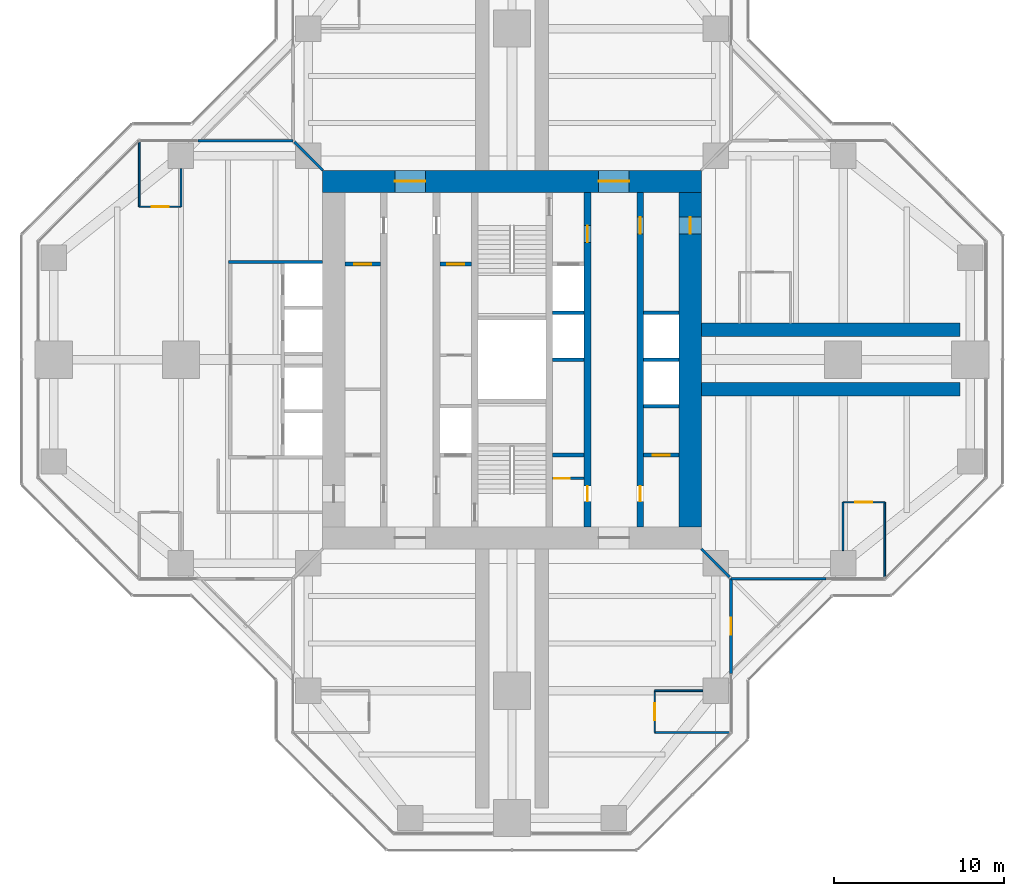
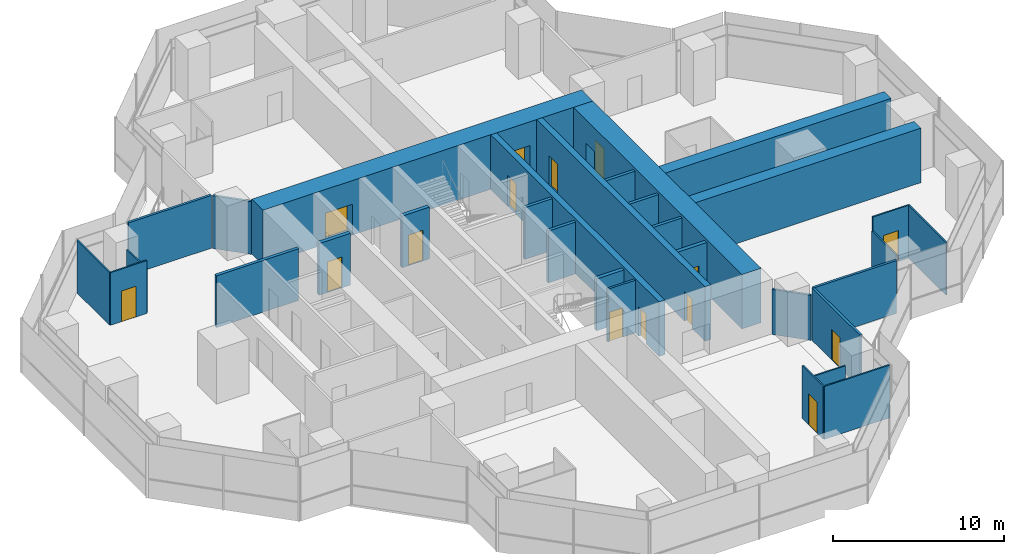
# One storey, part 14 of 17: 31 walls, 15 doors, 15 openings.
"""IFC4 building model written with IfcOpenShell, lengths in metres."""

from ifc_helpers import new_model, si_unit, direction, frame, frame_2d, origin, place, context, subcontext, project, spatial, rectangle, extrude, material, layer, layer_set, type_object, element, fill, save


model = new_model("IFC4")

# Units and contexts
model_context = context("Model", 3, precision=1e-05, world=origin(), true_north=direction((0.0, 1.0)))
body_context = subcontext(model_context, "Body", "Model", "MODEL_VIEW")
ifc_project = project(units=[si_unit("LENGTHUNIT", "METRE"), si_unit("AREAUNIT", "SQUARE_METRE"), si_unit("VOLUMEUNIT", "CUBIC_METRE"), si_unit("PLANEANGLEUNIT", "RADIAN"), si_unit("MASSUNIT", "GRAM", prefix="KILO")], contexts=[model_context])

# Site, building, storey
site_placement = place(None, origin())
site = spatial("IfcSite", under=ifc_project, at=site_placement, CompositionType="ELEMENT")
building_placement = place(site_placement, origin())
building = spatial("IfcBuilding", under=site, at=building_placement, Name="Mizan Broadcast Tower", CompositionType="ELEMENT")
storey_placement = place(building_placement, frame((0.0, 0.0, 263.39990234375)))
storey = spatial("IfcBuildingStorey", under=building, at=storey_placement, Name="L62", CompositionType="ELEMENT", Elevation=263.39990234375)

# Wall, openings, doors
ifc_material_1 = material(Name="Concrete C70/85", Category="concrete")
ifc_layer_1 = layer(ifc_material_1, 0.39990234375)
ifc_layer_set_1 = layer_set([ifc_layer_1], Name="Concrete C70/85")
wall_type_1 = type_object("IfcWallType", Name="CORE INTERNAL WALL 400", PredefinedType="SHEAR", material=ifc_layer_set_1)
wall_1_placement = place(storey_placement, frame((7.550048828125, 9.85009765625, 0.0), z_axis=(0.0, 0.0, 1.0), x_axis=(0.0, -1.0, 0.0)))
wall_1 = element("IfcWall", 1, at=wall_1_placement, inside=storey, type_object=wall_type_1, Name="Core wall CORE/XW1E", PredefinedType="SHEAR", context=body_context, shape_type="SweptSolid", body=[
    extrude(rectangle(XDim=19.7001953125, YDim=0.39990234375, at=frame_2d((9.85009765625, 0.0))), origin(), (0.0, 0.0, 1.0), 3.900146484375),
])
opening_1_placement = place(wall_1_placement, frame((1.449951171875, 0.0, 0.0)))
opening_1 = element("IfcOpeningElement", 2, at=opening_1_placement, cuts=wall_1, Name="Opening D10F", PredefinedType="OPENING", context=body_context, shape_type="SweptSolid", body=[
    extrude(rectangle(XDim=1.0, YDim=2.199951171875, at=frame_2d((0.5, 1.10009765625))), frame((0.0, 0.2099609375, 0.0), z_axis=(0.0, -1.0, 0.0), x_axis=(1.0, 0.0, 0.0)), (0.0, 0.0, 1.0), 0.419921875),
])
opening_2_placement = place(wall_1_placement, frame((17.300048828125, 0.0, 0.0)))
opening_2 = element("IfcOpeningElement", 3, at=opening_2_placement, cuts=wall_1, Name="Opening D09", PredefinedType="OPENING", context=body_context, shape_type="SweptSolid", body=[
    extrude(rectangle(XDim=0.89990234375, YDim=2.10009765625, at=frame_2d((0.449951171875, 1.050048828125))), frame((0.0, 0.2099609375, 0.0), z_axis=(0.0, -1.0, 0.0), x_axis=(1.0, 0.0, 0.0)), (0.0, 0.0, 1.0), 0.419921875),
])
ifc_material_2 = material(Name="Steel door leaf in steel frame", Category="steel")
door_type_1 = type_object("IfcDoorType", Name="FIRE DOOR 1000 FD90", OperationType="SINGLE_SWING_LEFT", PredefinedType="DOOR", material=ifc_material_2)
door_1_placement = place(opening_1_placement, origin())
door_1 = element("IfcDoor", 4, at=door_1_placement, inside=storey, type_object=door_type_1, Name="East core passage door", OperationType="SINGLE_SWING_LEFT", OverallHeight=2.199951171875, OverallWidth=1.0, PredefinedType="DOOR", context=body_context, shape_type="SweptSolid", body=[
    extrude(rectangle(XDim=1.0, YDim=2.199951171875, at=frame_2d((0.5, 1.10009765625))), frame((0.0, 0.02490234375, 0.0), z_axis=(0.0, -1.0, 0.0), x_axis=(1.0, 0.0, 0.0)), (0.0, 0.0, 1.0), 0.050048828125),
])
fill(opening_1, door_1)
ifc_material_3 = material(Name="Timber door leaf in aluminium frame", Category="wood")
door_type_2 = type_object("IfcDoorType", Name="TOILET DOOR 900", OperationType="SINGLE_SWING_LEFT", PredefinedType="DOOR", material=ifc_material_3)
door_2_placement = place(opening_2_placement, origin())
door_2 = element("IfcDoor", 5, at=door_2_placement, inside=storey, type_object=door_type_2, Name="Female WC door", OperationType="SINGLE_SWING_RIGHT", OverallHeight=2.10009765625, OverallWidth=0.89990234375, PredefinedType="DOOR", context=body_context, shape_type="SweptSolid", body=[
    extrude(rectangle(XDim=0.89990234375, YDim=2.10009765625, at=frame_2d((0.449951171875, 1.050048828125))), frame((0.0, 0.02490234375, 0.0), z_axis=(0.0, -1.0, 0.0), x_axis=(1.0, 0.0, 0.0)), (0.0, 0.0, 1.0), 0.050048828125),
])
fill(opening_2, door_2)

wall_2_placement = place(storey_placement, frame((4.449951171875, 9.85009765625, 0.0), z_axis=(0.0, 0.0, 1.0), x_axis=(0.0, -1.0, 0.0)))
wall_2 = element("IfcWall", 6, at=wall_2_placement, inside=storey, type_object=wall_type_1, Name="Core wall CORE/XWHE", PredefinedType="SHEAR", context=body_context, shape_type="SweptSolid", body=[
    extrude(rectangle(XDim=19.7001953125, YDim=0.39990234375, at=frame_2d((9.85009765625, 0.0))), origin(), (0.0, 0.0, 1.0), 3.900146484375),
])
opening_3_placement = place(wall_2_placement, frame((1.949951171875, 0.0, 0.0)))
opening_3 = element("IfcOpeningElement", 7, at=opening_3_placement, cuts=wall_2, Name="Opening D10F", PredefinedType="OPENING", context=body_context, shape_type="SweptSolid", body=[
    extrude(rectangle(XDim=1.0, YDim=2.199951171875, at=frame_2d((0.5, 1.10009765625))), frame((0.0, 0.2099609375, 0.0), z_axis=(0.0, -1.0, 0.0), x_axis=(1.0, 0.0, 0.0)), (0.0, 0.0, 1.0), 0.419921875),
])
opening_4_placement = place(wall_2_placement, frame((17.300048828125, 0.0, 0.0)))
opening_4 = element("IfcOpeningElement", 8, at=opening_4_placement, cuts=wall_2, Name="Opening D09", PredefinedType="OPENING", context=body_context, shape_type="SweptSolid", body=[
    extrude(rectangle(XDim=0.89990234375, YDim=2.10009765625, at=frame_2d((0.449951171875, 1.050048828125))), frame((0.0, 0.2099609375, 0.0), z_axis=(0.0, -1.0, 0.0), x_axis=(1.0, 0.0, 0.0)), (0.0, 0.0, 1.0), 0.419921875),
])
door_3_placement = place(opening_3_placement, origin())
door_3 = element("IfcDoor", 9, at=door_3_placement, inside=storey, type_object=door_type_1, Name="Firefighting lobby B door", OperationType="SINGLE_SWING_LEFT", OverallHeight=2.199951171875, OverallWidth=1.0, PredefinedType="DOOR", context=body_context, shape_type="SweptSolid", body=[
    extrude(rectangle(XDim=1.0, YDim=2.199951171875, at=frame_2d((0.5, 1.10009765625))), frame((0.0, 0.02490234375, 0.0), z_axis=(0.0, -1.0, 0.0), x_axis=(1.0, 0.0, 0.0)), (0.0, 0.0, 1.0), 0.050048828125),
])
fill(opening_3, door_3)
door_4_placement = place(opening_4_placement, origin())
door_4 = element("IfcDoor", 10, at=door_4_placement, inside=storey, type_object=door_type_2, Name="Cleaner's store door", OperationType="SINGLE_SWING_RIGHT", OverallHeight=2.10009765625, OverallWidth=0.89990234375, PredefinedType="DOOR", context=body_context, shape_type="SweptSolid", body=[
    extrude(rectangle(XDim=0.89990234375, YDim=2.10009765625, at=frame_2d((0.449951171875, 1.050048828125))), frame((0.0, 0.02490234375, 0.0), z_axis=(0.0, -1.0, 0.0), x_axis=(1.0, 0.0, 0.0)), (0.0, 0.0, 1.0), 0.050048828125),
])
fill(opening_4, door_4)

# Wall, opening, door
ifc_material_4 = material(Name="Concrete blockwork", Category="masonry")
ifc_layer_2 = layer(ifc_material_4, 0.14990234375)
ifc_layer_set_2 = layer_set([ifc_layer_2], Name="Concrete blockwork")
wall_type_2 = type_object("IfcWallType", Name="CORE PARTITION 150", PredefinedType="SOLIDWALL", material=ifc_layer_set_2)
wall_3_placement = place(storey_placement, frame((2.39990234375, -7.0, 0.0), z_axis=(0.0, 0.0, 1.0), x_axis=(1.0, 0.0, 0.0)))
wall_3 = element("IfcWall", 11, at=wall_3_placement, inside=storey, type_object=wall_type_2, Name="Core partition CORE/XPC", PredefinedType="SOLIDWALL", context=body_context, shape_type="SweptSolid", body=[
    extrude(rectangle(XDim=1.85009765625, YDim=0.14990234375, at=frame_2d((0.925048828125, 0.0))), origin(), (0.0, 0.0, 1.0), 3.77001953125),
])
opening_5_placement = place(wall_3_placement, frame((0.10009765625, 0.0, 0.0)))
opening_5 = element("IfcOpeningElement", 12, at=opening_5_placement, cuts=wall_3, Name="Opening D09F", PredefinedType="OPENING", context=body_context, shape_type="SweptSolid", body=[
    extrude(rectangle(XDim=0.89990234375, YDim=2.10009765625, at=frame_2d((0.449951171875, 1.050048828125))), frame((0.0, 0.0849609375, 0.0), z_axis=(0.0, -1.0, 0.0), x_axis=(1.0, 0.0, 0.0)), (0.0, 0.0, 1.0), 0.169921875),
])
ifc_material_5 = material(Name="Steel door leaf in steel frame", Category="steel")
door_type_3 = type_object("IfcDoorType", Name="CORE ROOM DOOR 900 FD90", OperationType="SINGLE_SWING_LEFT", PredefinedType="DOOR", material=ifc_material_5)
door_5_placement = place(opening_5_placement, origin())
door_5 = element("IfcDoor", 13, at=door_5_placement, inside=storey, type_object=door_type_3, Name="Cleaning materials store door", OperationType="SINGLE_SWING_LEFT", OverallHeight=2.10009765625, OverallWidth=0.89990234375, PredefinedType="DOOR", context=body_context, shape_type="SweptSolid", body=[
    extrude(rectangle(XDim=0.89990234375, YDim=2.10009765625, at=frame_2d((0.449951171875, 1.050048828125))), frame((0.0, 0.02490234375, 0.0), z_axis=(0.0, -1.0, 0.0), x_axis=(1.0, 0.0, 0.0)), (0.0, 0.0, 1.0), 0.050048828125),
])
fill(opening_5, door_5)

# Wall, openings, doors
ifc_material_6 = material(Name="Concrete C70/85", Category="concrete")
ifc_layer_3 = layer(ifc_material_6, 1.300048828125)
ifc_layer_set_3 = layer_set([ifc_layer_3], Name="Concrete C70/85")
wall_type_3 = type_object("IfcWallType", Name="CORE WALL 1300", PredefinedType="SHEAR", material=ifc_layer_set_3)
wall_4_placement = place(storey_placement, frame((-11.14990234375, 10.5, 0.0), z_axis=(0.0, 0.0, 1.0), x_axis=(1.0, 0.0, 0.0)))
wall_4 = element("IfcWall", 14, at=wall_4_placement, inside=storey, type_object=wall_type_3, Name="Core wall N L62", PredefinedType="SHEAR", context=body_context, shape_type="SweptSolid", body=[
    extrude(rectangle(XDim=22.2998046875, YDim=1.300048828125, at=frame_2d((11.14990234375, 0.0))), origin(), (0.0, 0.0, 1.0), 3.900146484375),
])
opening_6_placement = place(wall_4_placement, frame((4.25, 0.0, 0.0)))
opening_6 = element("IfcOpeningElement", 15, at=opening_6_placement, cuts=wall_4, Name="Opening D18F", PredefinedType="OPENING", context=body_context, shape_type="SweptSolid", body=[
    extrude(rectangle(XDim=1.800048828125, YDim=2.199951171875, at=frame_2d((0.89990234375, 1.10009765625))), frame((0.0, 0.659912109375, 0.0), z_axis=(0.0, -1.0, 0.0), x_axis=(1.0, 0.0, 0.0)), (0.0, 0.0, 1.0), 1.320068359375),
])
opening_7_placement = place(wall_4_placement, frame((16.25, 0.0, 0.0)))
opening_7 = element("IfcOpeningElement", 16, at=opening_7_placement, cuts=wall_4, Name="Opening D18F", PredefinedType="OPENING", context=body_context, shape_type="SweptSolid", body=[
    extrude(rectangle(XDim=1.800048828125, YDim=2.199951171875, at=frame_2d((0.89990234375, 1.10009765625))), frame((0.0, 0.659912109375, 0.0), z_axis=(0.0, -1.0, 0.0), x_axis=(1.0, 0.0, 0.0)), (0.0, 0.0, 1.0), 1.320068359375),
])
ifc_material_7 = material(Name="Steel door leaf in steel frame", Category="steel")
door_type_4 = type_object("IfcDoorType", Name="LOBBY DOUBLE DOOR 1800 FD90", OperationType="DOUBLE_DOOR_DOUBLE_SWING", PredefinedType="DOOR", material=ifc_material_7)
door_6_placement = place(opening_6_placement, origin())
door_6 = element("IfcDoor", 17, at=door_6_placement, inside=storey, type_object=door_type_4, Name="West lift lobby north door", OperationType="DOUBLE_DOOR_DOUBLE_SWING", OverallHeight=2.199951171875, OverallWidth=1.800048828125, PredefinedType="DOOR", context=body_context, shape_type="SweptSolid", body=[
    extrude(rectangle(XDim=1.800048828125, YDim=2.199951171875, at=frame_2d((0.89990234375, 1.10009765625))), frame((0.0, 0.02490234375, 0.0), z_axis=(0.0, -1.0, 0.0), x_axis=(1.0, 0.0, 0.0)), (0.0, 0.0, 1.0), 0.050048828125),
])
fill(opening_6, door_6)
door_7_placement = place(opening_7_placement, origin())
door_7 = element("IfcDoor", 18, at=door_7_placement, inside=storey, type_object=door_type_4, Name="East lift lobby north door", OperationType="DOUBLE_DOOR_DOUBLE_SWING", OverallHeight=2.199951171875, OverallWidth=1.800048828125, PredefinedType="DOOR", context=body_context, shape_type="SweptSolid", body=[
    extrude(rectangle(XDim=1.800048828125, YDim=2.199951171875, at=frame_2d((0.89990234375, 1.10009765625))), frame((0.0, 0.02490234375, 0.0), z_axis=(0.0, -1.0, 0.0), x_axis=(1.0, 0.0, 0.0)), (0.0, 0.0, 1.0), 0.050048828125),
])
fill(opening_7, door_7)

# Wall, opening, door
wall_5_placement = place(storey_placement, frame((10.5, -9.85009765625, 0.0), z_axis=(0.0, 0.0, 1.0), x_axis=(0.0, 1.0, 0.0)))
wall_5 = element("IfcWall", 19, at=wall_5_placement, inside=storey, type_object=wall_type_3, Name="Core wall E L62", PredefinedType="SHEAR", context=body_context, shape_type="SweptSolid", body=[
    extrude(rectangle(XDim=19.7001953125, YDim=1.300048828125, at=frame_2d((9.85009765625, 0.0))), origin(), (0.0, 0.0, 1.0), 3.900146484375),
])
opening_8_placement = place(wall_5_placement, frame((17.25, 0.0, 0.0)))
opening_8 = element("IfcOpeningElement", 20, at=opening_8_placement, cuts=wall_5, Name="Opening D10F", PredefinedType="OPENING", context=body_context, shape_type="SweptSolid", body=[
    extrude(rectangle(XDim=1.0, YDim=2.199951171875, at=frame_2d((0.5, 1.10009765625))), frame((0.0, 0.659912109375, 0.0), z_axis=(0.0, -1.0, 0.0), x_axis=(1.0, 0.0, 0.0)), (0.0, 0.0, 1.0), 1.320068359375),
])
door_8_placement = place(opening_8_placement, origin())
door_8 = element("IfcDoor", 21, at=door_8_placement, inside=storey, type_object=door_type_1, Name="East core passage arm door", OperationType="SINGLE_SWING_RIGHT", OverallHeight=2.199951171875, OverallWidth=1.0, PredefinedType="DOOR", context=body_context, shape_type="SweptSolid", body=[
    extrude(rectangle(XDim=1.0, YDim=2.199951171875, at=frame_2d((0.5, 1.10009765625))), frame((0.0, 0.02490234375, 0.0), z_axis=(0.0, -1.0, 0.0), x_axis=(1.0, 0.0, 0.0)), (0.0, 0.0, 1.0), 0.050048828125),
])
fill(opening_8, door_8)

# Walls
ifc_material_8 = material(Name="Aluminium framed glazed screen", Category="aluminium")
ifc_layer_4 = layer(ifc_material_8, 0.159912109375)
ifc_layer_set_4 = layer_set([ifc_layer_4], Name="Aluminium framed glazed screen")
wall_type_4 = type_object("IfcWallType", Name="GLAZED SCREEN WALL 160", PredefinedType="SOLIDWALL", material=ifc_layer_set_4)
for number, where, z_axis, x_axis, name in (
    (22, (12.89990234375, -12.89990234375, 0.0), (0.0, 0.0, 1.0), (1.0, 0.0, 0.0), "Winter garden screen L62 E"),
    (23, (-12.89990234375, 12.89990234375, 0.0), (0.0, 0.0, 1.0), (-1.0, 0.0, 0.0), "Winter garden screen L62 W"),
):
    element("IfcWall", number, at=place(storey_placement, frame(where, z_axis=z_axis, x_axis=x_axis)), inside=storey, type_object=wall_type_4, Name=name, PredefinedType="SOLIDWALL", context=body_context, shape_type="SweptSolid", body=[
        extrude(rectangle(XDim=5.60009765625, YDim=0.159912109375, at=frame_2d((2.800048828125, 0.0))), origin(), (0.0, 0.0, 1.0), 3.77001953125),
    ])

# Wall, opening, door
wall_6_placement = place(storey_placement, frame((12.89990234375, -18.5, 0.0), z_axis=(0.0, 0.0, 1.0), x_axis=(0.0, 1.0, 0.0)))
wall_6 = element("IfcWall", 24, at=wall_6_placement, inside=storey, type_object=wall_type_4, Name="Winter garden screen L62 S", PredefinedType="SOLIDWALL", context=body_context, shape_type="SweptSolid", body=[
    extrude(rectangle(XDim=5.60009765625, YDim=0.159912109375, at=frame_2d((2.800048828125, 0.0))), origin(), (0.0, 0.0, 1.0), 3.77001953125),
])
opening_9_placement = place(wall_6_placement, frame((2.300048828125, 0.0, 0.0)))
opening_9 = element("IfcOpeningElement", 25, at=opening_9_placement, cuts=wall_6, Name="Opening WGD", PredefinedType="OPENING", context=body_context, shape_type="SweptSolid", body=[
    extrude(rectangle(XDim=1.0, YDim=2.199951171875, at=frame_2d((0.5, 1.10009765625))), frame((0.0, 0.08984375, 0.0), z_axis=(0.0, -1.0, 0.0), x_axis=(1.0, 0.0, 0.0)), (0.0, 0.0, 1.0), 0.179931640625),
])
ifc_material_9 = material(Name="Aluminium framed glazed door", Category="aluminium")
door_type_5 = type_object("IfcDoorType", Name="WINTER GARDEN DOOR 1000 GLAZED", OperationType="SINGLE_SWING_LEFT", PredefinedType="DOOR", material=ifc_material_9)
door_9_placement = place(opening_9_placement, origin())
door_9 = element("IfcDoor", 26, at=door_9_placement, inside=storey, type_object=door_type_5, Name="Winter garden door L62 S", OperationType="SINGLE_SWING_RIGHT", OverallHeight=2.199951171875, OverallWidth=1.0, PredefinedType="DOOR", context=body_context, shape_type="SweptSolid", body=[
    extrude(rectangle(XDim=1.0, YDim=2.199951171875, at=frame_2d((0.5, 1.10009765625))), frame((0.0, 0.02490234375, 0.0), z_axis=(0.0, -1.0, 0.0), x_axis=(1.0, 0.0, 0.0)), (0.0, 0.0, 1.0), 0.050048828125),
])
fill(opening_9, door_9)

# Walls
ifc_material_10 = material(Name="Concrete blockwork", Category="masonry")
ifc_layer_5 = layer(ifc_material_10, 0.199951171875)
ifc_layer_set_5 = layer_set([ifc_layer_5], Name="Concrete blockwork")
wall_type_5 = type_object("IfcWallType", Name="LIFT SHAFT WALL 200", PredefinedType="SOLIDWALL", material=ifc_layer_set_5)
wall_7_placement = place(storey_placement, frame((7.75, -2.75, 0.0), z_axis=(0.0, 0.0, 1.0), x_axis=(1.0, 0.0, 0.0)))
element("IfcWall", 27, at=wall_7_placement, inside=storey, type_object=wall_type_5, Name="Lift shaft wall CORE/SE1-1", PredefinedType="SOLIDWALL", context=body_context, shape_type="SweptSolid", body=[
    extrude(rectangle(XDim=2.10009765625, YDim=0.199951171875, at=frame_2d((1.050048828125, 0.0))), origin(), (0.0, 0.0, 1.0), 3.7001953125),
])
wall_8_placement = place(storey_placement, frame((2.39990234375, 0.0, 0.0), z_axis=(0.0, 0.0, 1.0), x_axis=(1.0, 0.0, 0.0)))
element("IfcWall", 28, at=wall_8_placement, inside=storey, type_object=wall_type_5, Name="Lift shaft wall CORE/SE2-2", PredefinedType="SOLIDWALL", context=body_context, shape_type="SweptSolid", body=[
    extrude(rectangle(XDim=1.85009765625, YDim=0.199951171875, at=frame_2d((0.925048828125, 0.0))), origin(), (0.0, 0.0, 1.0), 3.7001953125),
])
wall_9_placement = place(storey_placement, frame((7.75, 0.0, 0.0), z_axis=(0.0, 0.0, 1.0), x_axis=(1.0, 0.0, 0.0)))
element("IfcWall", 29, at=wall_9_placement, inside=storey, type_object=wall_type_5, Name="Lift shaft wall CORE/SE1-2", PredefinedType="SOLIDWALL", context=body_context, shape_type="SweptSolid", body=[
    extrude(rectangle(XDim=2.10009765625, YDim=0.199951171875, at=frame_2d((1.050048828125, 0.0))), origin(), (0.0, 0.0, 1.0), 3.7001953125),
])
wall_10_placement = place(storey_placement, frame((2.39990234375, 2.75, 0.0), z_axis=(0.0, 0.0, 1.0), x_axis=(1.0, 0.0, 0.0)))
element("IfcWall", 30, at=wall_10_placement, inside=storey, type_object=wall_type_5, Name="Lift shaft wall CORE/SE2-3", PredefinedType="SOLIDWALL", context=body_context, shape_type="SweptSolid", body=[
    extrude(rectangle(XDim=1.85009765625, YDim=0.199951171875, at=frame_2d((0.925048828125, 0.0))), origin(), (0.0, 0.0, 1.0), 3.7001953125),
])
wall_11_placement = place(storey_placement, frame((7.75, 2.75, 0.0), z_axis=(0.0, 0.0, 1.0), x_axis=(1.0, 0.0, 0.0)))
element("IfcWall", 31, at=wall_11_placement, inside=storey, type_object=wall_type_5, Name="Lift shaft wall CORE/SE1-3", PredefinedType="SOLIDWALL", context=body_context, shape_type="SweptSolid", body=[
    extrude(rectangle(XDim=2.10009765625, YDim=0.199951171875, at=frame_2d((1.050048828125, 0.0))), origin(), (0.0, 0.0, 1.0), 3.7001953125),
])
wall_12_placement = place(storey_placement, frame((-11.14990234375, 5.75, 0.0), z_axis=(0.0, 0.0, 1.0), x_axis=(-1.0, 0.0, 0.0)))
element("IfcWall", 32, at=wall_12_placement, inside=storey, type_object=wall_type_5, Name="Lift shaft wall LC/S1", PredefinedType="SOLIDWALL", context=body_context, shape_type="SweptSolid", body=[
    extrude(rectangle(XDim=5.550048828125, YDim=0.199951171875, at=frame_2d((2.77490234375, 0.0))), origin(), (0.0, 0.0, 1.0), 3.7001953125),
])

# Wall, opening, door
ifc_material_11 = material(Name="Concrete blockwork", Category="masonry")
ifc_layer_6 = layer(ifc_material_11, 0.25)
ifc_layer_set_6 = layer_set([ifc_layer_6], Name="Concrete blockwork")
wall_type_6 = type_object("IfcWallType", Name="LOBBY ENCLOSURE WALL 250", PredefinedType="SOLIDWALL", material=ifc_layer_set_6)
wall_13_placement = place(storey_placement, frame((-9.85009765625, 5.625, 0.0), z_axis=(0.0, 0.0, 1.0), x_axis=(1.0, 0.0, 0.0)))
wall_13 = element("IfcWall", 33, at=wall_13_placement, inside=storey, type_object=wall_type_6, Name="Lobby enclosure wall CORE/BW1N", PredefinedType="SOLIDWALL", context=body_context, shape_type="SweptSolid", body=[
    extrude(rectangle(XDim=2.10009765625, YDim=0.25, at=frame_2d((1.050048828125, 0.0))), origin(), (0.0, 0.0, 1.0), 3.7001953125),
])
opening_10_placement = place(wall_13_placement, frame((0.550048828125, 0.0, 0.0)))
opening_10 = element("IfcOpeningElement", 34, at=opening_10_placement, cuts=wall_13, Name="Opening D10F", PredefinedType="OPENING", context=body_context, shape_type="SweptSolid", body=[
    extrude(rectangle(XDim=1.0, YDim=2.199951171875, at=frame_2d((0.5, 1.10009765625))), frame((0.0, 0.135009765625, 0.0), z_axis=(0.0, -1.0, 0.0), x_axis=(1.0, 0.0, 0.0)), (0.0, 0.0, 1.0), 0.27001953125),
])
door_10_placement = place(opening_10_placement, origin())
door_10 = element("IfcDoor", 35, at=door_10_placement, inside=storey, type_object=door_type_1, Name="Staff changing room door", OperationType="SINGLE_SWING_RIGHT", OverallHeight=2.199951171875, OverallWidth=1.0, PredefinedType="DOOR", context=body_context, shape_type="SweptSolid", body=[
    extrude(rectangle(XDim=1.0, YDim=2.199951171875, at=frame_2d((0.5, 1.10009765625))), frame((0.0, 0.02490234375, 0.0), z_axis=(0.0, -1.0, 0.0), x_axis=(1.0, 0.0, 0.0)), (0.0, 0.0, 1.0), 0.050048828125),
])
fill(opening_10, door_10)

wall_14_placement = place(storey_placement, frame((-4.25, 5.625, 0.0), z_axis=(0.0, 0.0, 1.0), x_axis=(1.0, 0.0, 0.0)))
wall_14 = element("IfcWall", 36, at=wall_14_placement, inside=storey, type_object=wall_type_6, Name="Lobby enclosure wall CORE/BW2N", PredefinedType="SOLIDWALL", context=body_context, shape_type="SweptSolid", body=[
    extrude(rectangle(XDim=1.85009765625, YDim=0.25, at=frame_2d((0.925048828125, 0.0))), origin(), (0.0, 0.0, 1.0), 3.7001953125),
])
opening_11_placement = place(wall_14_placement, frame((0.425048828125, 0.0, 0.0)))
opening_11 = element("IfcOpeningElement", 37, at=opening_11_placement, cuts=wall_14, Name="Opening D10F", PredefinedType="OPENING", context=body_context, shape_type="SweptSolid", body=[
    extrude(rectangle(XDim=1.0, YDim=2.199951171875, at=frame_2d((0.5, 1.10009765625))), frame((0.0, 0.135009765625, 0.0), z_axis=(0.0, -1.0, 0.0), x_axis=(1.0, 0.0, 0.0)), (0.0, 0.0, 1.0), 0.27001953125),
])
door_11_placement = place(opening_11_placement, origin())
door_11 = element("IfcDoor", 38, at=door_11_placement, inside=storey, type_object=door_type_1, Name="Baby change room door", OperationType="SINGLE_SWING_RIGHT", OverallHeight=2.199951171875, OverallWidth=1.0, PredefinedType="DOOR", context=body_context, shape_type="SweptSolid", body=[
    extrude(rectangle(XDim=1.0, YDim=2.199951171875, at=frame_2d((0.5, 1.10009765625))), frame((0.0, 0.02490234375, 0.0), z_axis=(0.0, -1.0, 0.0), x_axis=(1.0, 0.0, 0.0)), (0.0, 0.0, 1.0), 0.050048828125),
])
fill(opening_11, door_11)

# Wall
wall_15_placement = place(storey_placement, frame((2.39990234375, -5.625, 0.0), z_axis=(0.0, 0.0, 1.0), x_axis=(1.0, 0.0, 0.0)))
element("IfcWall", 39, at=wall_15_placement, inside=storey, type_object=wall_type_6, Name="Lobby enclosure wall CORE/BE2S", PredefinedType="SOLIDWALL", context=body_context, shape_type="SweptSolid", body=[
    extrude(rectangle(XDim=1.85009765625, YDim=0.25, at=frame_2d((0.925048828125, 0.0))), origin(), (0.0, 0.0, 1.0), 3.7001953125),
])

# Wall, opening, door
wall_16_placement = place(storey_placement, frame((7.75, -5.625, 0.0), z_axis=(0.0, 0.0, 1.0), x_axis=(1.0, 0.0, 0.0)))
wall_16 = element("IfcWall", 40, at=wall_16_placement, inside=storey, type_object=wall_type_6, Name="Lobby enclosure wall CORE/BE1S", PredefinedType="SOLIDWALL", context=body_context, shape_type="SweptSolid", body=[
    extrude(rectangle(XDim=2.10009765625, YDim=0.25, at=frame_2d((1.050048828125, 0.0))), origin(), (0.0, 0.0, 1.0), 3.7001953125),
])
opening_12_placement = place(wall_16_placement, frame((0.550048828125, 0.0, 0.0)))
opening_12 = element("IfcOpeningElement", 41, at=opening_12_placement, cuts=wall_16, Name="Opening D10F", PredefinedType="OPENING", context=body_context, shape_type="SweptSolid", body=[
    extrude(rectangle(XDim=1.0, YDim=2.199951171875, at=frame_2d((0.5, 1.10009765625))), frame((0.0, 0.135009765625, 0.0), z_axis=(0.0, -1.0, 0.0), x_axis=(1.0, 0.0, 0.0)), (0.0, 0.0, 1.0), 0.27001953125),
])
door_12_placement = place(opening_12_placement, origin())
door_12 = element("IfcDoor", 42, at=door_12_placement, inside=storey, type_object=door_type_1, Name="Staff changing room door", OperationType="SINGLE_SWING_LEFT", OverallHeight=2.199951171875, OverallWidth=1.0, PredefinedType="DOOR", context=body_context, shape_type="SweptSolid", body=[
    extrude(rectangle(XDim=1.0, YDim=2.199951171875, at=frame_2d((0.5, 1.10009765625))), frame((0.0, 0.02490234375, 0.0), z_axis=(0.0, -1.0, 0.0), x_axis=(1.0, 0.0, 0.0)), (0.0, 0.0, 1.0), 0.050048828125),
])
fill(opening_12, door_12)

# Walls
ifc_material_12 = material(Name="Gypsum board on steel studs", Category="steel")
ifc_layer_7 = layer(ifc_material_12, 0.14990234375)
ifc_layer_set_7 = layer_set([ifc_layer_7], Name="Gypsum board on steel studs")
wall_type_7 = type_object("IfcWallType", Name="PARTITION 150", PredefinedType="PARTITIONING", material=ifc_layer_set_7)
wall_17_placement = place(storey_placement, frame((-11.14990234375, 11.14990234375, 0.0), z_axis=(0.0, 0.0, 1.0), x_axis=(-0.707106781187, 0.707106781187, 0.0)))
element("IfcWall", 43, at=wall_17_placement, inside=storey, type_object=wall_type_7, Name="Partition PT/DGWN", PredefinedType="PARTITIONING", context=body_context, shape_type="SweptSolid", body=[
    extrude(rectangle(XDim=2.362060546875, YDim=0.14990234375, at=frame_2d((1.18115234375, 0.0))), origin(), (0.0, 0.0, 1.0), 3.77001953125),
])
wall_18_placement = place(storey_placement, frame((11.14990234375, -11.14990234375, 0.0), z_axis=(0.0, 0.0, 1.0), x_axis=(0.707106781187, -0.707106781187, 0.0)))
element("IfcWall", 44, at=wall_18_placement, inside=storey, type_object=wall_type_7, Name="Partition PT/DGES", PredefinedType="PARTITIONING", context=body_context, shape_type="SweptSolid", body=[
    extrude(rectangle(XDim=2.362060546875, YDim=0.14990234375, at=frame_2d((1.18115234375, 0.0))), origin(), (0.0, 0.0, 1.0), 3.22021484375),
])

# Wall, opening, door
ifc_material_13 = material(Name="Glazed aluminium partition on aluminium track", Category="aluminium")
ifc_layer_8 = layer(ifc_material_13, 0.10009765625)
ifc_layer_set_8 = layer_set([ifc_layer_8], Name="Glazed aluminium partition on aluminium track")
wall_type_8 = type_object("IfcWallType", Name="PARTITION GLAZED OFFICE FRONT 100", PredefinedType="PARTITIONING", material=ifc_layer_set_8)
wall_19_placement = place(storey_placement, frame((19.5, -8.39990234375, 0.0), z_axis=(0.0, 0.0, 1.0), x_axis=(1.0, 0.0, 0.0)))
wall_19 = element("IfcWall", 45, at=wall_19_placement, inside=storey, type_object=wall_type_8, Name="Glazed office front PT/ECN0", PredefinedType="PARTITIONING", context=body_context, shape_type="SweptSolid", body=[
    extrude(rectangle(XDim=2.458984375, YDim=0.10009765625, at=frame_2d((1.2294921875, 0.0))), origin(), (0.0, 0.0, 1.0), 3.77001953125),
])
opening_13_placement = place(wall_19_placement, frame((0.7294921875, 0.0, 0.0)))
opening_13 = element("IfcOpeningElement", 46, at=opening_13_placement, cuts=wall_19, Name="Opening D10O", PredefinedType="OPENING", context=body_context, shape_type="SweptSolid", body=[
    extrude(rectangle(XDim=1.0, YDim=2.199951171875, at=frame_2d((0.5, 1.10009765625))), frame((0.0, 0.06005859375, 0.0), z_axis=(0.0, -1.0, 0.0), x_axis=(1.0, 0.0, 0.0)), (0.0, 0.0, 1.0), 0.1201171875),
])
ifc_material_14 = material(Name="Timber door leaf in aluminium frame", Category="wood")
door_type_6 = type_object("IfcDoorType", Name="OFFICE DOOR 1000 GLAZED", OperationType="SINGLE_SWING_LEFT", PredefinedType="DOOR", material=ifc_material_14)
door_13_placement = place(opening_13_placement, origin())
door_13 = element("IfcDoor", 47, at=door_13_placement, inside=storey, type_object=door_type_6, Name="Tenant meeting room door", OperationType="SINGLE_SWING_LEFT", OverallHeight=2.199951171875, OverallWidth=1.0, PredefinedType="DOOR", context=body_context, shape_type="SweptSolid", body=[
    extrude(rectangle(XDim=1.0, YDim=2.199951171875, at=frame_2d((0.5, 1.10009765625))), frame((0.0, 0.02490234375, 0.0), z_axis=(0.0, -1.0, 0.0), x_axis=(1.0, 0.0, 0.0)), (0.0, 0.0, 1.0), 0.050048828125),
])
fill(opening_13, door_13)

# Walls
wall_20_placement = place(storey_placement, frame((19.5, -8.39990234375, 0.0), z_axis=(0.0, 0.0, 1.0), x_axis=(0.0, -1.0, 0.0)))
element("IfcWall", 48, at=wall_20_placement, inside=storey, type_object=wall_type_8, Name="Glazed office front PT/EQN1950", PredefinedType="PARTITIONING", context=body_context, shape_type="SweptSolid", body=[
    extrude(rectangle(XDim=2.85009765625, YDim=0.10009765625, at=frame_2d((1.425048828125, 0.0))), origin(), (0.0, 0.0, 1.0), 2.77001953125),
])
wall_21_placement = place(storey_placement, frame((21.958984375, -8.39990234375, 0.0), z_axis=(0.0, 0.0, 1.0), x_axis=(0.0, -1.0, 0.0)))
element("IfcWall", 49, at=wall_21_placement, inside=storey, type_object=wall_type_8, Name="Glazed office front PT/EQN2196", PredefinedType="PARTITIONING", context=body_context, shape_type="SweptSolid", body=[
    extrude(rectangle(XDim=4.420166015625, YDim=0.10009765625, at=frame_2d((2.2099609375, 0.0))), origin(), (0.0, 0.0, 1.0), 3.77001953125),
])

# Wall, opening, door
wall_22_placement = place(storey_placement, frame((-19.5, 9.0, 0.0), z_axis=(0.0, 0.0, 1.0), x_axis=(-1.0, 0.0, 0.0)))
wall_22 = element("IfcWall", 50, at=wall_22_placement, inside=storey, type_object=wall_type_8, Name="Glazed office front PT/WCN0", PredefinedType="PARTITIONING", context=body_context, shape_type="SweptSolid", body=[
    extrude(rectangle(XDim=2.458984375, YDim=0.10009765625, at=frame_2d((1.2294921875, 0.0))), origin(), (0.0, 0.0, 1.0), 3.77001953125),
])
opening_14_placement = place(wall_22_placement, frame((0.7294921875, 0.0, 0.0)))
opening_14 = element("IfcOpeningElement", 51, at=opening_14_placement, cuts=wall_22, Name="Opening D10O", PredefinedType="OPENING", context=body_context, shape_type="SweptSolid", body=[
    extrude(rectangle(XDim=1.0, YDim=2.199951171875, at=frame_2d((0.5, 1.10009765625))), frame((0.0, 0.06005859375, 0.0), z_axis=(0.0, -1.0, 0.0), x_axis=(1.0, 0.0, 0.0)), (0.0, 0.0, 1.0), 0.1201171875),
])
door_14_placement = place(opening_14_placement, origin())
door_14 = element("IfcDoor", 52, at=door_14_placement, inside=storey, type_object=door_type_6, Name="Tenant servery door", OperationType="SINGLE_SWING_LEFT", OverallHeight=2.199951171875, OverallWidth=1.0, PredefinedType="DOOR", context=body_context, shape_type="SweptSolid", body=[
    extrude(rectangle(XDim=1.0, YDim=2.199951171875, at=frame_2d((0.5, 1.10009765625))), frame((0.0, 0.02490234375, 0.0), z_axis=(0.0, -1.0, 0.0), x_axis=(1.0, 0.0, 0.0)), (0.0, 0.0, 1.0), 0.050048828125),
])
fill(opening_14, door_14)

# Walls
wall_23_placement = place(storey_placement, frame((-19.5, 9.0, 0.0), z_axis=(0.0, 0.0, 1.0), x_axis=(0.0, 1.0, 0.0)))
element("IfcWall", 53, at=wall_23_placement, inside=storey, type_object=wall_type_8, Name="Glazed office front PT/WQN1950", PredefinedType="PARTITIONING", context=body_context, shape_type="SweptSolid", body=[
    extrude(rectangle(XDim=2.25, YDim=0.10009765625, at=frame_2d((1.125, 0.0))), origin(), (0.0, 0.0, 1.0), 3.18017578125),
])
wall_24_placement = place(storey_placement, frame((-21.958984375, 9.0, 0.0), z_axis=(0.0, 0.0, 1.0), x_axis=(0.0, 1.0, 0.0)))
element("IfcWall", 54, at=wall_24_placement, inside=storey, type_object=wall_type_8, Name="Glazed office front PT/WQN2196", PredefinedType="PARTITIONING", context=body_context, shape_type="SweptSolid", body=[
    extrude(rectangle(XDim=3.820068359375, YDim=0.10009765625, at=frame_2d((1.91015625, 0.0))), origin(), (0.0, 0.0, 1.0), 3.77001953125),
])

# Wall, opening, door
wall_25_placement = place(storey_placement, frame((8.39990234375, -19.5, 0.0), z_axis=(0.0, 0.0, 1.0), x_axis=(0.0, -1.0, 0.0)))
wall_25 = element("IfcWall", 55, at=wall_25_placement, inside=storey, type_object=wall_type_8, Name="Glazed office front PT/SCP0", PredefinedType="PARTITIONING", context=body_context, shape_type="SweptSolid", body=[
    extrude(rectangle(XDim=2.458984375, YDim=0.10009765625, at=frame_2d((1.2294921875, 0.0))), origin(), (0.0, 0.0, 1.0), 3.77001953125),
])
opening_15_placement = place(wall_25_placement, frame((0.7294921875, 0.0, 0.0)))
opening_15 = element("IfcOpeningElement", 56, at=opening_15_placement, cuts=wall_25, Name="Opening D10O", PredefinedType="OPENING", context=body_context, shape_type="SweptSolid", body=[
    extrude(rectangle(XDim=1.0, YDim=2.199951171875, at=frame_2d((0.5, 1.10009765625))), frame((0.0, 0.06005859375, 0.0), z_axis=(0.0, -1.0, 0.0), x_axis=(1.0, 0.0, 0.0)), (0.0, 0.0, 1.0), 0.1201171875),
])
door_15_placement = place(opening_15_placement, origin())
door_15 = element("IfcDoor", 57, at=door_15_placement, inside=storey, type_object=door_type_6, Name="Office door", OperationType="SINGLE_SWING_LEFT", OverallHeight=2.199951171875, OverallWidth=1.0, PredefinedType="DOOR", context=body_context, shape_type="SweptSolid", body=[
    extrude(rectangle(XDim=1.0, YDim=2.199951171875, at=frame_2d((0.5, 1.10009765625))), frame((0.0, 0.02490234375, 0.0), z_axis=(0.0, -1.0, 0.0), x_axis=(1.0, 0.0, 0.0)), (0.0, 0.0, 1.0), 0.050048828125),
])
fill(opening_15, door_15)

# Walls
wall_26_placement = place(storey_placement, frame((8.39990234375, -19.5, 0.0), z_axis=(0.0, 0.0, 1.0), x_axis=(1.0, 0.0, 0.0)))
element("IfcWall", 58, at=wall_26_placement, inside=storey, type_object=wall_type_8, Name="Glazed office front PT/SQP1950", PredefinedType="PARTITIONING", context=body_context, shape_type="SweptSolid", body=[
    extrude(rectangle(XDim=2.85009765625, YDim=0.10009765625, at=frame_2d((1.425048828125, 0.0))), origin(), (0.0, 0.0, 1.0), 2.77001953125),
])
wall_27_placement = place(storey_placement, frame((8.39990234375, -21.958984375, 0.0), z_axis=(0.0, 0.0, 1.0), x_axis=(1.0, 0.0, 0.0)))
element("IfcWall", 59, at=wall_27_placement, inside=storey, type_object=wall_type_8, Name="Glazed office front PT/SQP2196", PredefinedType="PARTITIONING", context=body_context, shape_type="SweptSolid", body=[
    extrude(rectangle(XDim=4.420166015625, YDim=0.10009765625, at=frame_2d((2.2099609375, 0.0))), origin(), (0.0, 0.0, 1.0), 3.77001953125),
])
ifc_material_15 = material(Name="Concrete C70/85", Category="concrete")
ifc_layer_9 = layer(ifc_material_15, 0.800048828125)
ifc_layer_set_9 = layer_set([ifc_layer_9], Name="Concrete C70/85")
wall_type_9 = type_object("IfcWallType", Name="SPINE WALL 800", PredefinedType="SHEAR", material=ifc_layer_set_9)
for number, where, z_axis, x_axis, name in (
    (60, (11.14990234375, -1.75, 0.0), (0.0, 0.0, 1.0), (1.0, 0.0, 0.0), "Spine wall ER L62"),
    (61, (11.14990234375, 1.75, 0.0), (0.0, 0.0, 1.0), (1.0, 0.0, 0.0), "Spine wall EL L62"),
):
    element("IfcWall", number, at=place(storey_placement, frame(where, z_axis=z_axis, x_axis=x_axis)), inside=storey, type_object=wall_type_9, Name=name, PredefinedType="SHEAR", context=body_context, shape_type="SweptSolid", body=[
        extrude(rectangle(XDim=15.25, YDim=0.800048828125, at=frame_2d((7.625, 0.0))), origin(), (0.0, 0.0, 1.0), 3.900146484375),
    ])

save(model, "model.ifc")
